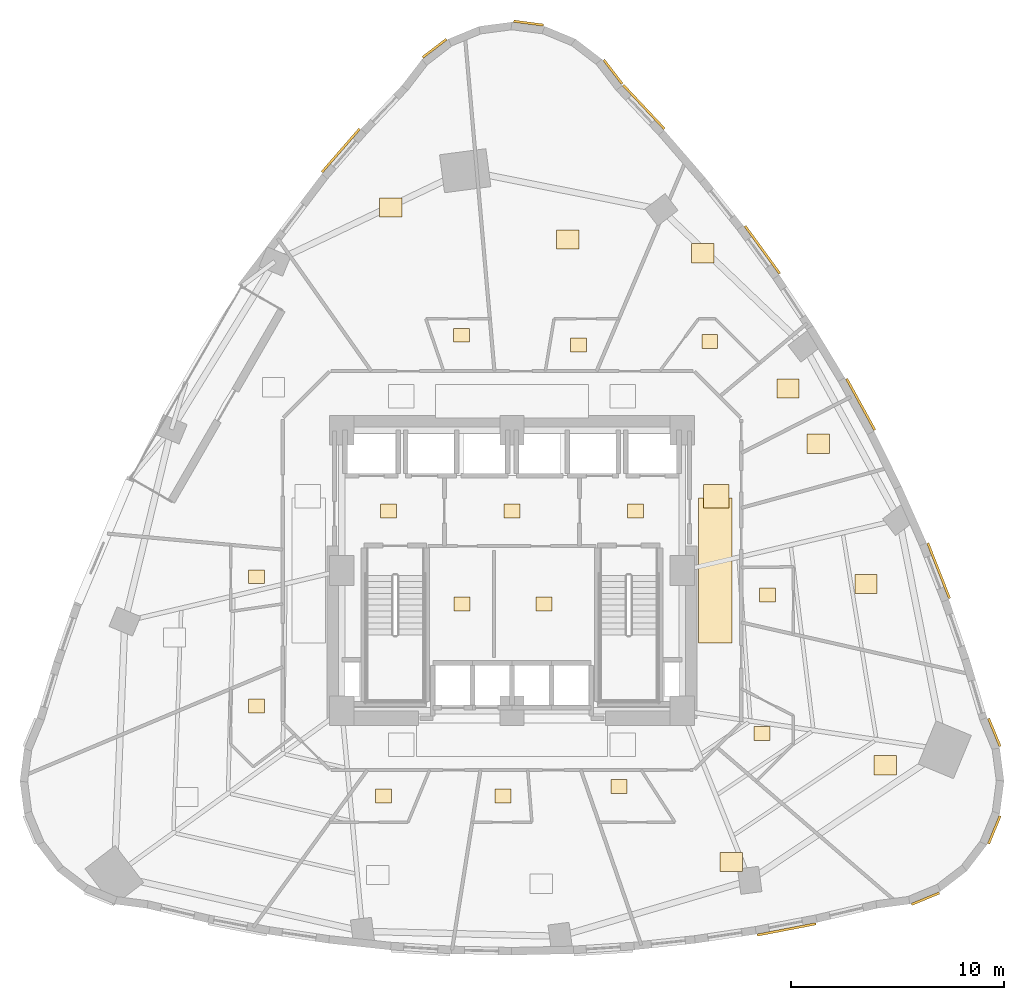
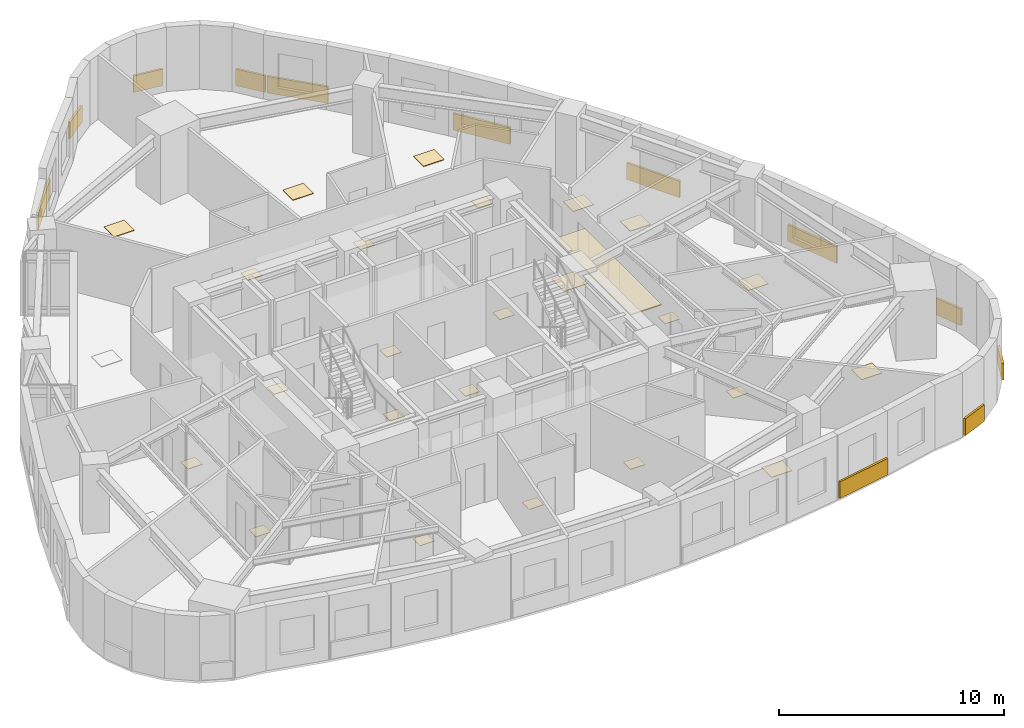
# One storey, part 12 of 12: 37 coverings.
"""IFC4 building model written with IfcOpenShell, lengths in metres."""

import ifcopenshell
import ifcopenshell.guid

model = None  # the IFC model being written
_history = None  # IfcOwnerHistory: only IFC2X3 demands one
_inside = {}  # id of a spatial element -> (the spatial element, [elements in it])
_under = {}  # id of a project, library or spatial element -> (it, [spatial elements below it])
_declared = {}  # id of a project -> (the project, [libraries it declares])
_typed = {}  # id of a type object -> (the type object, [elements of that type])
_made_of = {}  # id of a material, layer set ... -> (it, [elements and type objects made of it])


def new_model(schema):
    """Start an empty IFC model of exactly this schema.

    Asked for "IFC4X3", IfcOpenShell would pick the latest addendum, in which some entities
    have other attributes; the version numbers below select the first issue.
    IFC2X3 requires an IfcOwnerHistory on every rooted entity: one is made here for all.
    """
    global model, _history
    if schema == "IFC4X3":
        model = ifcopenshell.file(schema_version=(4, 3, 0, 0))
    else:
        model = ifcopenshell.file(schema=schema)
    _inside.clear()
    _under.clear()
    _declared.clear()
    _typed.clear()
    _made_of.clear()
    _history = None
    if model.schema == "IFC2X3":
        org = make("IfcOrganization", Name="unknown")
        user = make(
            "IfcPersonAndOrganization",
            ThePerson=make("IfcPerson", FamilyName="unknown"),
            TheOrganization=org,
        )
        app = make(
            "IfcApplication",
            ApplicationDeveloper=org,
            Version="unknown",
            ApplicationFullName="unknown",
            ApplicationIdentifier="unknown",
        )
        _history = make(
            "IfcOwnerHistory",
            OwningUser=user,
            OwningApplication=app,
            ChangeAction="ADDED",
            CreationDate=0,
        )
    return model


def make(cls, **values):
    """One entity of the class cls with the attributes given. An attribute that is None is left unset."""
    return model.create_entity(
        cls, **{name: value for name, value in values.items() if value is not None}
    )


def rooted(cls, **values):
    """An entity with a GlobalId (a new one), such as an element, a storey or a relation."""
    return make(cls, GlobalId=ifcopenshell.guid.new(), OwnerHistory=_history, **values)


def si_unit(unit_type, name, prefix=None):
    """IfcSIUnit, for example si_unit("LENGTHUNIT", "METRE", prefix="MILLI")."""
    return make("IfcSIUnit", UnitType=unit_type, Prefix=prefix, Name=name)


def assignment(units):
    """IfcUnitAssignment: the units of a project."""
    return None if units is None else make("IfcUnitAssignment", Units=units)


def point(xyz):
    """IfcCartesianPoint."""
    return None if xyz is None else make("IfcCartesianPoint", Coordinates=xyz)


def direction(xyz):
    """IfcDirection."""
    return None if xyz is None else make("IfcDirection", DirectionRatios=xyz)


def frame(location, z_axis=None, x_axis=None):
    """IfcAxis2Placement3D, a coordinate frame: its origin and axes. An axis left out is left unset."""
    return make(
        "IfcAxis2Placement3D",
        Location=point(location),
        Axis=direction(z_axis),
        RefDirection=direction(x_axis),
    )


def frame_2d(location, x_axis=None):
    """IfcAxis2Placement2D, a coordinate frame in the plane: its origin and x axis."""
    return make(
        "IfcAxis2Placement2D", Location=point(location), RefDirection=direction(x_axis)
    )


def origin():
    """The frame at (0, 0, 0) with its axes left unset."""
    return frame((0.0, 0.0, 0.0))


def origin_2d():
    """The frame at (0, 0) in the plane with its x axis left unset."""
    return frame_2d((0.0, 0.0))


def place(relative_to, where):
    """IfcLocalPlacement: puts the frame where relative to a parent placement (None: the world)."""
    return make(
        "IfcLocalPlacement", PlacementRelTo=relative_to, RelativePlacement=where
    )


def context(
    kind, dimensions, precision=None, world=None, true_north=None, identifier=None
):
    """IfcGeometricRepresentationContext, for example the 3D "Model" context."""
    return make(
        "IfcGeometricRepresentationContext",
        ContextIdentifier=identifier,
        ContextType=kind,
        CoordinateSpaceDimension=dimensions,
        Precision=precision,
        WorldCoordinateSystem=world,
        TrueNorth=true_north,
    )


def subcontext(parent, identifier, kind, view, scale=None):
    """IfcGeometricRepresentationSubContext, for example "Body" below "Model"."""
    return make(
        "IfcGeometricRepresentationSubContext",
        ContextIdentifier=identifier,
        ContextType=kind,
        ParentContext=parent,
        TargetScale=scale,
        TargetView=view,
    )


def project(units=None, contexts=None):
    """IfcProject with its units and contexts."""
    return rooted(
        "IfcProject",
        Name="project",
        RepresentationContexts=contexts,
        UnitsInContext=assignment(units),
    )


def spatial(cls, under=None, at=None, **own):
    """A site, building, storey or space (cls), placed at a placement, below another one or the project."""
    s = rooted(cls, ObjectPlacement=at, **own)
    if under is not None:
        _under.setdefault(under.id(), (under, []))[1].append(s)
    return s


def profile(cls, at=None, kind="AREA", **sizes):
    """A parametric profile (cls). Its sizes go by their IFC names, for example OverallWidth=200.0."""
    return make(cls, ProfileType=kind, Position=at, **sizes)


def rectangle(**sizes):
    """IfcRectangleProfileDef."""
    return profile("IfcRectangleProfileDef", **sizes)


def extrude(swept, where, along, depth):
    """IfcExtrudedAreaSolid: the profile swept, set in the frame where, extruded along a direction by depth."""
    return make(
        "IfcExtrudedAreaSolid",
        SweptArea=swept,
        Position=where,
        ExtrudedDirection=direction(along),
        Depth=depth,
    )


def shape(context_of_items, identifier, shape_type, items):
    """IfcShapeRepresentation: the items that make up one representation, for example the "Body"."""
    return make(
        "IfcShapeRepresentation",
        ContextOfItems=context_of_items,
        RepresentationIdentifier=identifier,
        RepresentationType=shape_type,
        Items=items,
    )


def material(Name=None, Category=None):
    """IfcMaterial."""
    return make("IfcMaterial", Name=Name, Category=Category)


def layer(
    of_material, thickness, ventilated=None, Name=None, Category=None, Priority=None
):
    """IfcMaterialLayer: one layer of a wall or slab, of a material (None: an air gap)."""
    return make(
        "IfcMaterialLayer",
        Material=of_material,
        LayerThickness=thickness,
        IsVentilated=ventilated,
        Name=Name,
        Category=Category,
        Priority=Priority,
    )


def layer_set(layers, Name=None):
    """IfcMaterialLayerSet."""
    return make("IfcMaterialLayerSet", MaterialLayers=layers, LayerSetName=Name)


def made_of(thing, what):
    """Note that an element or type object is made of a material, layer set ...; save() writes the relation."""
    if what is not None:
        _made_of.setdefault(what.id(), (what, []))[1].append(thing)
    return thing


def type_object(cls, material=None, **own):
    """A type object (cls), such as IfcWallType, which elements share."""
    return made_of(rooted(cls, **own), material)


def element(
    cls,
    number,
    at=None,
    inside=None,
    cuts=None,
    type_object=None,
    material=None,
    context=None,
    identifier="Body",
    shape_type=None,
    held_by="IfcProductDefinitionShape",
    body=None,
    shapes=None,
    **own,
):
    """One element of the class cls, such as IfcWall. Its Tag is "e" and its number.

    at: its placement. inside: the storey or other place that contains it. cuts: it is an
    opening in that element (IfcRelVoidsElement). A single representation is given by context,
    identifier, shape_type and body (its items); several are given by shapes. held_by: the class
    of the entity that holds the representations. save() writes the other relations.
    """
    e = rooted(cls, Tag="e%d" % number, ObjectPlacement=at, **own)
    if body is not None:
        shapes = [shape(context, identifier, shape_type, body)]
    if shapes is not None:
        e.Representation = make(held_by, Representations=shapes)
    if inside is not None:
        _inside.setdefault(inside.id(), (inside, []))[1].append(e)
    if cuts is not None:
        rooted(
            "IfcRelVoidsElement", RelatingBuildingElement=cuts, RelatedOpeningElement=e
        )
    if type_object is not None:
        _typed.setdefault(type_object.id(), (type_object, []))[1].append(e)
    return made_of(e, material)


def aggregate(whole, parts):
    """IfcRelAggregates: a whole, such as a stair, and the parts it consists of."""
    return rooted("IfcRelAggregates", RelatingObject=whole, RelatedObjects=parts)


def save(model, path):
    """Write the relations noted so far, then the file.

    IfcRelAggregates (storeys below a building ...), IfcRelContainedInSpatialStructure (elements
    in a storey), IfcRelDefinesByType, IfcRelAssociatesMaterial and IfcRelDeclares: one each for
    every whole, place, type object, material and project.
    """
    for whole, parts in _under.values():
        aggregate(whole, parts)
    for where, things in _inside.values():
        rooted(
            "IfcRelContainedInSpatialStructure",
            RelatedElements=things,
            RelatingStructure=where,
        )
    for kind, things in _typed.values():
        rooted("IfcRelDefinesByType", RelatedObjects=things, RelatingType=kind)
    for what, things in _made_of.values():
        rooted("IfcRelAssociatesMaterial", RelatedObjects=things, RelatingMaterial=what)
    for by, libraries in _declared.values():
        rooted("IfcRelDeclares", RelatingContext=by, RelatedDefinitions=libraries)
    model.write(path)


model = new_model("IFC4")

# Units and contexts
model_context = context("Model", 3, precision=1e-05, world=origin(), true_north=direction((0.0, 1.0)))
body_context = subcontext(model_context, "Body", "Model", "MODEL_VIEW")
ifc_project = project(units=[si_unit("LENGTHUNIT", "METRE"), si_unit("AREAUNIT", "SQUARE_METRE"), si_unit("VOLUMEUNIT", "CUBIC_METRE"), si_unit("PLANEANGLEUNIT", "RADIAN"), si_unit("MASSUNIT", "GRAM", prefix="KILO")], contexts=[model_context])

# Site, building, storey
site_placement = place(None, origin())
site = spatial("IfcSite", under=ifc_project, at=site_placement, CompositionType="ELEMENT")
building_placement = place(site_placement, origin())
building = spatial("IfcBuilding", under=site, at=building_placement, Name="Ndelora Gate Hotel", CompositionType="ELEMENT")
storey_placement = place(building_placement, frame((0.0, 0.0, 38.0)))
storey = spatial("IfcBuildingStorey", under=building, at=storey_placement, Name="L08", CompositionType="ELEMENT", Elevation=38.0)

# Coverings
ifc_material_1 = material(Name="Perforated Acoustic Gypsum Board", Category="gypsum")
ifc_layer_1 = layer(ifc_material_1, 0.054931640625)
ifc_layer_set_1 = layer_set([ifc_layer_1], Name="Perforated Acoustic Gypsum Board")
covering_type_1 = type_object("IfcCoveringType", Name="COV-CEIL-AC60", PredefinedType="CEILING", material=ifc_layer_set_1)
covering_1_placement = place(storey_placement, frame((9.550048828125, 0.0, 2.65234375), z_axis=(0.0, 0.0, 1.0), x_axis=(1.0, 0.0, 0.0)))
element("IfcCovering", 1, at=covering_1_placement, inside=storey, type_object=covering_type_1, Name="L08 Guest Corridor Acoustic Ceiling E", PredefinedType="CEILING", context=body_context, shape_type="SweptSolid", body=[
    extrude(rectangle(XDim=1.580078125, YDim=6.800048828125, at=origin_2d()), origin(), (0.0, 0.0, 1.0), 0.054931640625),
])
ifc_material_2 = material(Name="Terracotta Fired Clay Brick Slip Cladding", Category="masonry")
ifc_layer_2 = layer(ifc_material_2, 0.110107421875)
ifc_layer_set_2 = layer_set([ifc_layer_2], Name="Terracotta Fired Clay Brick Slip Cladding")
covering_type_2 = type_object("IfcCoveringType", Name="COV-CLAD-BRK", PredefinedType="CLADDING", material=ifc_layer_set_2)
for number, where, z_axis, x_axis, name in (
    (2, (4.747314453125, 23.45068359375, 0.10009765625), (0.0, 0.0, 1.0), (-0.608761429009, 0.793353340291, 0.0), "L08 Rounded-Corner Brick Cladding Band 1"),
    (3, (0.781005859375, 25.740478515625, 0.10009765625), (0.0, 0.0, 1.0), (-0.991444861374, 0.13052619222, 0.0), "L08 Rounded-Corner Brick Cladding Band 4"),
    (4, (-3.642578125, 24.55517578125, 0.10009765625), (0.0, 0.0, 1.0), (0.793353340291, 0.608761429009, 0.0), "L08 Rounded-Corner Brick Cladding Band 7"),
):
    element("IfcCovering", number, at=place(storey_placement, frame(where, z_axis=z_axis, x_axis=x_axis)), inside=storey, type_object=covering_type_2, Name=name, PredefinedType="CLADDING", context=body_context, shape_type="SweptSolid", body=[
        extrude(rectangle(XDim=1.4140625, YDim=0.110107421875, at=origin_2d()), origin(), (0.0, 0.0, 1.0), 0.89990234375),
    ])
covering_2_placement = place(storey_placement, frame((-8.05029296875, 19.75341796875, 0.10009765625), z_axis=(0.0, 0.0, 1.0), x_axis=(0.656454104053, 0.75436596508, 0.0)))
element("IfcCovering", 5, at=covering_2_placement, inside=storey, type_object=covering_type_2, Name="L08 Rounded-Corner Brick Cladding Band 10", PredefinedType="CLADDING", context=body_context, shape_type="SweptSolid", body=[
    extrude(rectangle(XDim=2.696044921875, YDim=0.110107421875, at=origin_2d()), origin(), (0.0, 0.0, 1.0), 0.89990234375),
])
covering_3_placement = place(storey_placement, frame((12.90966796875, -16.88037109375, 0.10009765625), z_axis=(0.0, 0.0, 1.0), x_axis=(0.981991701121, 0.188924055984, 0.0)))
element("IfcCovering", 6, at=covering_3_placement, inside=storey, type_object=covering_type_2, Name="L08 Rounded-Corner Brick Cladding Band 37", PredefinedType="CLADDING", context=body_context, shape_type="SweptSolid", body=[
    extrude(rectangle(XDim=2.81103515625, YDim=0.110107421875, at=origin_2d()), origin(), (0.0, 0.0, 1.0), 0.89990234375),
])
for number, where, z_axis, x_axis, name in (
    (7, (19.444091796875, -15.432373046875, 0.10009765625), (0.0, 0.0, 1.0), (0.923879532511, 0.382683432365, 0.0), "L08 Rounded-Corner Brick Cladding Band 40"),
    (8, (22.6826171875, -12.19384765625, 0.10009765625), (0.0, 0.0, 1.0), (0.382683432365, 0.923879532511, 0.0), "L08 Rounded-Corner Brick Cladding Band 43"),
    (9, (22.6826171875, -7.614013671875, 0.10009765625), (0.0, 0.0, 1.0), (-0.382683432365, 0.923879532511, 0.0), "L08 Rounded-Corner Brick Cladding Band 46"),
):
    element("IfcCovering", number, at=place(storey_placement, frame(where, z_axis=z_axis, x_axis=x_axis)), inside=storey, type_object=covering_type_2, Name=name, PredefinedType="CLADDING", context=body_context, shape_type="SweptSolid", body=[
        extrude(rectangle(XDim=1.4140625, YDim=0.110107421875, at=origin_2d()), origin(), (0.0, 0.0, 1.0), 0.89990234375),
    ])
covering_4_placement = place(storey_placement, frame((20.064208984375, -0.010498046875, 0.10009765625), z_axis=(0.0, 0.0, 1.0), x_axis=(-0.366338832643, 0.930481520342, 0.0)))
element("IfcCovering", 10, at=covering_4_placement, inside=storey, type_object=covering_type_2, Name="L08 Rounded-Corner Brick Cladding Band 49", PredefinedType="CLADDING", context=body_context, shape_type="SweptSolid", body=[
    extrude(rectangle(XDim=2.791015625, YDim=0.110107421875, at=origin_2d()), origin(), (0.0, 0.0, 1.0), 0.89990234375),
])
covering_5_placement = place(storey_placement, frame((16.398193359375, 7.81103515625, 0.10009765625), z_axis=(0.0, 0.0, 1.0), x_axis=(-0.48129477498, 0.876558805544, 0.0)))
element("IfcCovering", 11, at=covering_5_placement, inside=storey, type_object=covering_type_2, Name="L08 Rounded-Corner Brick Cladding Band 52", PredefinedType="CLADDING", context=body_context, shape_type="SweptSolid", body=[
    extrude(rectangle(XDim=2.760009765625, YDim=0.110107421875, at=origin_2d()), origin(), (0.0, 0.0, 1.0), 0.89990234375),
])
covering_6_placement = place(storey_placement, frame((11.776123046875, 15.080810546875, 0.10009765625), z_axis=(0.0, 0.0, 1.0), x_axis=(-0.589196357353, 0.807989883898, 0.0)))
element("IfcCovering", 12, at=covering_6_placement, inside=storey, type_object=covering_type_2, Name="L08 Rounded-Corner Brick Cladding Band 55", PredefinedType="CLADDING", context=body_context, shape_type="SweptSolid", body=[
    extrude(rectangle(XDim=2.77490234375, YDim=0.110107421875, at=origin_2d()), origin(), (0.0, 0.0, 1.0), 0.89990234375),
])
covering_7_placement = place(storey_placement, frame((6.198974609375, 21.7978515625, 0.10009765625), z_axis=(0.0, 0.0, 1.0), x_axis=(-0.684928699156, 0.728610099486, 0.0)))
element("IfcCovering", 13, at=covering_7_placement, inside=storey, type_object=covering_type_2, Name="L08 Rounded-Corner Brick Cladding Band 58", PredefinedType="CLADDING", context=body_context, shape_type="SweptSolid", body=[
    extrude(rectangle(XDim=2.8369140625, YDim=0.110107421875, at=origin_2d()), origin(), (0.0, 0.0, 1.0), 0.89990234375),
])
ifc_material_3 = material(Name="Engineered Highland Oak Parquet", Category="wood")
ifc_layer_3 = layer(ifc_material_3, 0.030029296875)
ifc_layer_set_3 = layer_set([ifc_layer_3], Name="Engineered Highland Oak Parquet")
covering_type_3 = type_object("IfcCoveringType", Name="COV-FLR-PARQ", PredefinedType="FLOORING", material=ifc_layer_set_3)
for number, where, z_axis, x_axis, name in (
    (14, (8.96484375, 14.919677734375, 0.0), (0.0, 0.0, 1.0), (1.0, 0.0, 0.0), "L08 Deluxe King Guest Room 1101 Oak Parquet Flooring"),
    (15, (2.614990234375, 15.5595703125, 0.0), (0.0, 0.0, 1.0), (1.0, 0.0, 0.0), "L08 Twin Junior Suite 1102 Oak Parquet Flooring"),
    (16, (-5.703125, 17.065673828125, 0.0), (0.0, 0.0, 1.0), (1.0, 0.0, 0.0), "L08 Corner Junior Suite 1103 Oak Parquet Flooring"),
    (17, (10.306640625, -13.71337890625, 0.0), (0.0, 0.0, 1.0), (1.0, 0.0, 0.0), "L08 Corner Junior Suite 1108 Oak Parquet Flooring"),
    (18, (17.554931640625, -9.15869140625, 0.0), (0.0, 0.0, 1.0), (1.0, 0.0, 0.0), "L08 Deluxe King Junior Suite 1109 Oak Parquet Flooring"),
    (19, (16.64501953125, -0.641357421875, 0.0), (0.0, 0.0, 1.0), (1.0, 0.0, 0.0), "L08 Twin Guest Room 1110 Oak Parquet Flooring"),
    (20, (14.4013671875, 5.96240234375, 0.0), (0.0, 0.0, 1.0), (1.0, 0.0, 0.0), "L08 Housekeeping and Linen Room Oak Parquet Flooring"),
    (21, (12.976318359375, 8.556884765625, 0.0), (0.0, 0.0, 1.0), (1.0, 0.0, 0.0), "L08 Accessible WC Oak Parquet Flooring"),
):
    element("IfcCovering", number, at=place(storey_placement, frame(where, z_axis=z_axis, x_axis=x_axis)), inside=storey, type_object=covering_type_3, Name=name, PredefinedType="FLOORING", context=body_context, shape_type="SweptSolid", body=[
        extrude(rectangle(XDim=1.050048828125, YDim=0.89990234375, at=origin_2d()), origin(), (0.0, 0.0, 1.0), 0.030029296875),
    ])
ifc_material_4 = material(Name="Polished Highland Stone Terrazzo", Category="masonry")
ifc_layer_4 = layer(ifc_material_4, 0.034912109375)
ifc_layer_set_4 = layer_set([ifc_layer_4], Name="Polished Highland Stone Terrazzo")
covering_type_4 = type_object("IfcCoveringType", Name="COV-FLR-TERZ", PredefinedType="FLOORING", material=ifc_layer_set_4)
covering_8_placement = place(storey_placement, frame((9.60009765625, 3.5, 0.0), z_axis=(0.0, 0.0, 1.0), x_axis=(1.0, 0.0, 0.0)))
element("IfcCovering", 22, at=covering_8_placement, inside=storey, type_object=covering_type_4, Name="L08 Corridor Threshold Terrazzo Inlay E", PredefinedType="FLOORING", context=body_context, shape_type="SweptSolid", body=[
    extrude(rectangle(XDim=1.199951171875, YDim=1.10009765625, at=origin_2d()), origin(), (0.0, 0.0, 1.0), 0.034912109375),
])
ifc_material_5 = material(Name="Non-Slip Porcelain Wet-Room Tile", Category="ceramic")
ifc_layer_5 = layer(ifc_material_5, 0.02490234375)
ifc_layer_set_5 = layer_set([ifc_layer_5], Name="Non-Slip Porcelain Wet-Room Tile")
covering_type_5 = type_object("IfcCoveringType", Name="COV-FLR-TILE", PredefinedType="FLOORING", material=ifc_layer_set_5)
for number, where, z_axis, x_axis, name in (
    (23, (-5.800048828125, 2.800048828125, 0.0), (0.0, 0.0, 1.0), (1.0, 0.0, 0.0), "L08 Firefighting Lift Lobby West Porcelain Tile Flooring"),
    (24, (5.800048828125, 2.800048828125, 0.0), (0.0, 0.0, 1.0), (1.0, 0.0, 0.0), "L08 Firefighting Lift Lobby East Porcelain Tile Flooring"),
    (25, (0.0, 2.800048828125, 0.0), (0.0, 0.0, 1.0), (1.0, 0.0, 0.0), "L08 Central Passenger Lift Lobby Porcelain Tile Flooring"),
    (26, (-2.35009765625, -1.574951171875, 0.0), (0.0, 0.0, 1.0), (1.0, 0.0, 0.0), "L08 Core Electrical Switchroom Porcelain Tile Flooring"),
    (27, (1.5, -1.574951171875, 0.0), (0.0, 0.0, 1.0), (1.0, 0.0, 0.0), "L08 Central Linen Equipment Store Porcelain Tile Flooring"),
    (28, (9.2998046875, 10.772705078125, 0.0), (0.0, 0.0, 1.0), (1.0, 0.0, 0.0), "L08 En-suite Bathroom 1101 Porcelain Tile Flooring"),
    (29, (3.135498046875, 10.60498046875, 0.0), (0.0, 0.0, 1.0), (1.0, 0.0, 0.0), "L08 En-suite Bathroom 1102 Porcelain Tile Flooring"),
    (30, (-2.38037109375, 11.059814453125, 0.0), (0.0, 0.0, 1.0), (1.0, 0.0, 0.0), "L08 En-suite Bathroom 1103 Porcelain Tile Flooring"),
    (31, (-12.0048828125, -0.294921875, 0.0), (0.0, 0.0, 1.0), (1.0, 0.0, 0.0), "L08 En-suite Bathroom 1104 Porcelain Tile Flooring"),
    (32, (-12.0048828125, -6.370849609375, 0.0), (0.0, 0.0, 1.0), (1.0, 0.0, 0.0), "L08 En-suite Bathroom 1105 Porcelain Tile Flooring"),
    (33, (-6.033203125, -10.60498046875, 0.0), (0.0, 0.0, 1.0), (1.0, 0.0, 0.0), "L08 En-suite Bathroom 1106 Porcelain Tile Flooring"),
    (34, (-0.4189453125, -10.60498046875, 0.0), (0.0, 0.0, 1.0), (1.0, 0.0, 0.0), "L08 En-suite Bathroom 1107 Porcelain Tile Flooring"),
    (35, (5.040771484375, -10.161376953125, 0.0), (0.0, 0.0, 1.0), (1.0, 0.0, 0.0), "L08 En-suite Bathroom 1108 Porcelain Tile Flooring"),
    (36, (11.756591796875, -7.663330078125, 0.0), (0.0, 0.0, 1.0), (1.0, 0.0, 0.0), "L08 En-suite Bathroom 1109 Porcelain Tile Flooring"),
    (37, (12.0048828125, -1.15380859375, 0.0), (0.0, 0.0, 1.0), (1.0, 0.0, 0.0), "L08 En-suite Bathroom 1110 Porcelain Tile Flooring"),
):
    element("IfcCovering", number, at=place(storey_placement, frame(where, z_axis=z_axis, x_axis=x_axis)), inside=storey, type_object=covering_type_5, Name=name, PredefinedType="FLOORING", context=body_context, shape_type="SweptSolid", body=[
        extrude(rectangle(XDim=0.75, YDim=0.64990234375, at=origin_2d()), origin(), (0.0, 0.0, 1.0), 0.02490234375),
    ])

save(model, "model.ifc")
